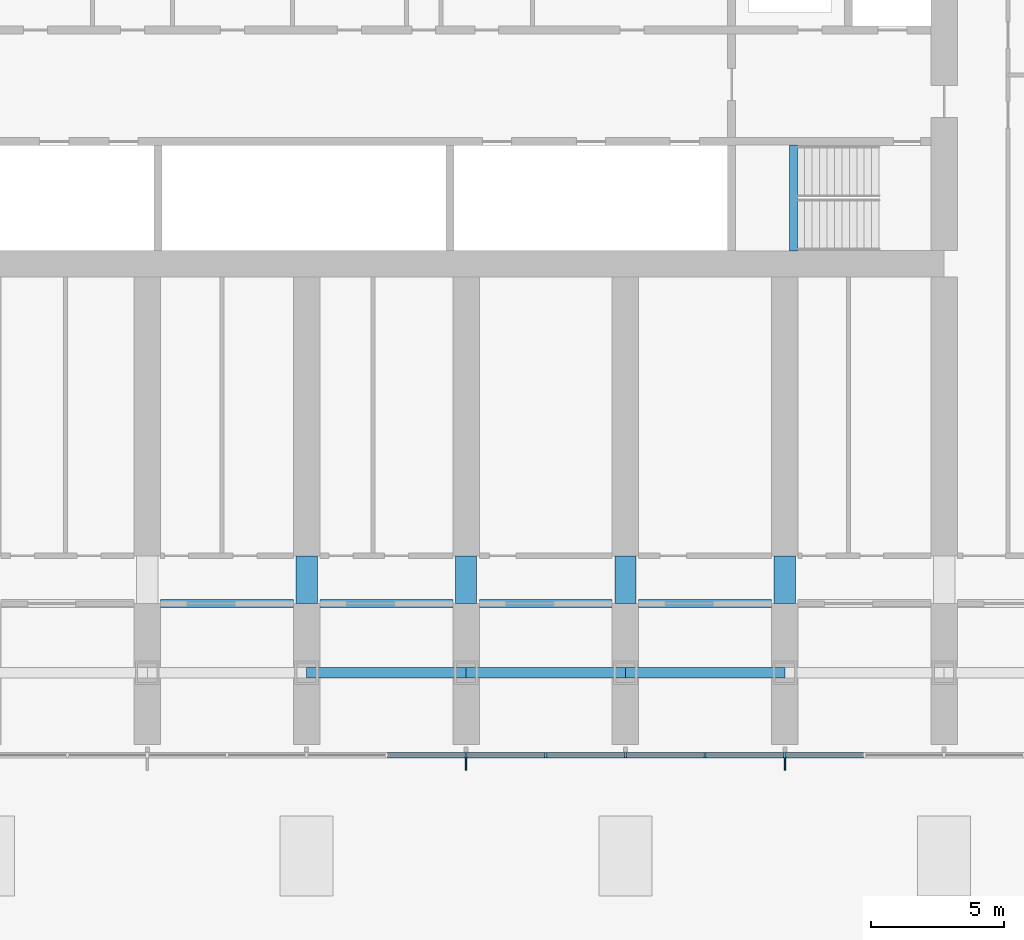
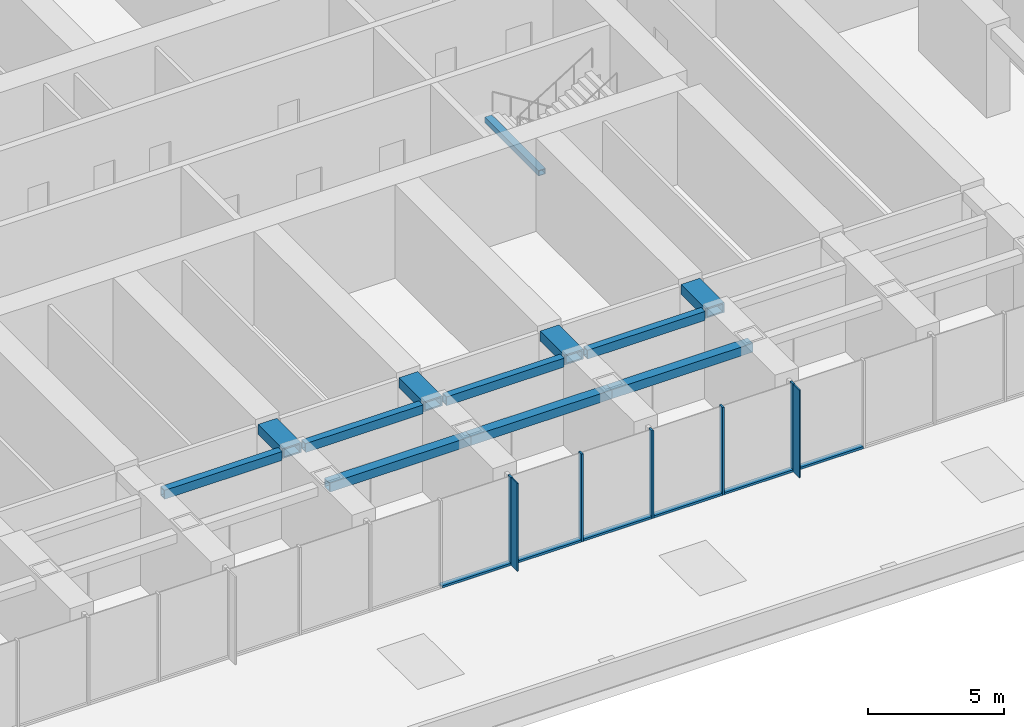
# One storey, part 3 of 23: 13 members, 12 beams, 1 element without a shape of its own.
"""IFC4 building model written with IfcOpenShell, lengths in metres."""

from ifc_helpers import new_model, si_unit, direction, frame, origin, origin_2d, place, context, subcontext, project, spatial, rectangle, hollow_rectangle, extrude, material, material_profile, profile_set, type_object, element, aggregate, save


model = new_model("IFC4")

# Units and contexts
model_context = context("Model", 3, precision=1e-05, world=origin(), true_north=direction((0.0, 1.0)))
body_context = subcontext(model_context, "Body", "Model", "MODEL_VIEW")
ifc_project = project(units=[si_unit("LENGTHUNIT", "METRE"), si_unit("AREAUNIT", "SQUARE_METRE"), si_unit("VOLUMEUNIT", "CUBIC_METRE"), si_unit("PLANEANGLEUNIT", "RADIAN"), si_unit("MASSUNIT", "GRAM", prefix="KILO")], contexts=[model_context])

# Site, building, storey
site_placement = place(None, origin())
site = spatial("IfcSite", under=ifc_project, at=site_placement, CompositionType="ELEMENT")
building_placement = place(site_placement, origin())
building = spatial("IfcBuilding", under=site, at=building_placement, Name="Orbita Commons", CompositionType="ELEMENT")
storey_placement = place(building_placement, frame((0.0, 0.0, 16.0)))
storey = spatial("IfcBuildingStorey", under=building, at=storey_placement, Name="L03", CompositionType="ELEMENT", Elevation=16.0)

# Curtain wall, members
ifc_material_1 = material(Name="Anodised aluminium frame, pale silver", Category="aluminium")
curtain_wall_type = type_object("IfcCurtainWallType", Name="Unitised curtain wall CW-S, full-height", PredefinedType="NOTDEFINED", material=ifc_material_1)
curtain_wall_placement = place(storey_placement, origin())
curtain_wall = element("IfcCurtainWall", 1, at=curtain_wall_placement, inside=storey, type_object=curtain_wall_type, Name="Curtain wall south L03", PredefinedType="NOTDEFINED")
ifc_material_2 = material(Name="Anodised aluminium, pale silver", Category="aluminium")
ifc_material_profile_1 = material_profile(ifc_material_2, rectangle(XDim=0.080078125, YDim=0.219970703125, at=origin_2d()), Name="AL 80x220")
ifc_profile_set_1 = profile_set([ifc_material_profile_1], Name="Anodised aluminium, pale silver")
member_type_1 = type_object("IfcMemberType", Name="Curtain wall mullion 80x220", PredefinedType="MULLION", material=ifc_profile_set_1)
member_1_placement = place(storey_placement, frame((48.0, 7.2900390625, 0.0), z_axis=(0.0, 0.0, 1.0), x_axis=(1.0, 0.0, 0.0)))
member_1 = element("IfcMember", 2, at=member_1_placement, type_object=member_type_1, Name="Mullion 13 CW-L03-S", PredefinedType="MULLION", context=body_context, shape_type="SweptSolid", body=[
    extrude(rectangle(XDim=0.080078125, YDim=0.219970703125, at=origin_2d()), origin(), (0.0, 0.0, 1.0), 3.949951171875),
])
member_2_placement = place(storey_placement, frame((51.0, 7.2900390625, 0.0), z_axis=(0.0, 0.0, 1.0), x_axis=(1.0, 0.0, 0.0)))
member_2 = element("IfcMember", 3, at=member_2_placement, type_object=member_type_1, Name="Mullion 14 CW-L03-S", PredefinedType="MULLION", context=body_context, shape_type="SweptSolid", body=[
    extrude(rectangle(XDim=0.080078125, YDim=0.219970703125, at=origin_2d()), origin(), (0.0, 0.0, 1.0), 3.949951171875),
])
member_3_placement = place(storey_placement, frame((54.0, 7.2900390625, 0.0), z_axis=(0.0, 0.0, 1.0), x_axis=(1.0, 0.0, 0.0)))
member_3 = element("IfcMember", 4, at=member_3_placement, type_object=member_type_1, Name="Mullion 15 CW-L03-S", PredefinedType="MULLION", context=body_context, shape_type="SweptSolid", body=[
    extrude(rectangle(XDim=0.080078125, YDim=0.219970703125, at=origin_2d()), origin(), (0.0, 0.0, 1.0), 3.949951171875),
])
member_4_placement = place(storey_placement, frame((57.0, 7.2900390625, 0.0), z_axis=(0.0, 0.0, 1.0), x_axis=(1.0, 0.0, 0.0)))
member_4 = element("IfcMember", 5, at=member_4_placement, type_object=member_type_1, Name="Mullion 16 CW-L03-S", PredefinedType="MULLION", context=body_context, shape_type="SweptSolid", body=[
    extrude(rectangle(XDim=0.080078125, YDim=0.219970703125, at=origin_2d()), origin(), (0.0, 0.0, 1.0), 3.949951171875),
])
member_5_placement = place(storey_placement, frame((60.0, 7.2900390625, 0.0), z_axis=(0.0, 0.0, 1.0), x_axis=(1.0, 0.0, 0.0)))
member_5 = element("IfcMember", 6, at=member_5_placement, type_object=member_type_1, Name="Mullion 17 CW-L03-S", PredefinedType="MULLION", context=body_context, shape_type="SweptSolid", body=[
    extrude(rectangle(XDim=0.080078125, YDim=0.219970703125, at=origin_2d()), origin(), (0.0, 0.0, 1.0), 3.949951171875),
])
ifc_material_3 = material(Name="Anodised aluminium, pale silver", Category="aluminium")
ifc_material_profile_2 = material_profile(ifc_material_3, rectangle(XDim=0.219970703125, YDim=0.10009765625, at=origin_2d()), Name="AL 220x100")
ifc_profile_set_2 = profile_set([ifc_material_profile_2], Name="Anodised aluminium, pale silver")
member_type_2 = type_object("IfcMemberType", Name="Curtain wall stack transom 220x100", PredefinedType="USERDEFINED", material=ifc_profile_set_2)
member_6_placement = place(storey_placement, frame((45.0400390625, 7.2900390625, 0.050048828125), z_axis=(1.0, 0.0, 0.0), x_axis=(0.0, 1.0, 0.0)))
member_6 = element("IfcMember", 7, at=member_6_placement, type_object=member_type_2, Name="Transom 12.1 CW-L03-S", ObjectType="TRANSOM", PredefinedType="USERDEFINED", context=body_context, shape_type="SweptSolid", body=[
    extrude(rectangle(XDim=0.219970703125, YDim=0.10009765625, at=origin_2d()), origin(), (0.0, 0.0, 1.0), 2.919921875),
])
member_7_placement = place(storey_placement, frame((48.0400390625, 7.2900390625, 0.050048828125), z_axis=(1.0, 0.0, 0.0), x_axis=(0.0, 1.0, 0.0)))
member_7 = element("IfcMember", 8, at=member_7_placement, type_object=member_type_2, Name="Transom 13.1 CW-L03-S", ObjectType="TRANSOM", PredefinedType="USERDEFINED", context=body_context, shape_type="SweptSolid", body=[
    extrude(rectangle(XDim=0.219970703125, YDim=0.10009765625, at=origin_2d()), origin(), (0.0, 0.0, 1.0), 2.919921875),
])
member_8_placement = place(storey_placement, frame((51.0400390625, 7.2900390625, 0.050048828125), z_axis=(1.0, 0.0, 0.0), x_axis=(0.0, 1.0, 0.0)))
member_8 = element("IfcMember", 9, at=member_8_placement, type_object=member_type_2, Name="Transom 14.1 CW-L03-S", ObjectType="TRANSOM", PredefinedType="USERDEFINED", context=body_context, shape_type="SweptSolid", body=[
    extrude(rectangle(XDim=0.219970703125, YDim=0.10009765625, at=origin_2d()), origin(), (0.0, 0.0, 1.0), 2.919921875),
])
member_9_placement = place(storey_placement, frame((54.0400390625, 7.2900390625, 0.050048828125), z_axis=(1.0, 0.0, 0.0), x_axis=(0.0, 1.0, 0.0)))
member_9 = element("IfcMember", 10, at=member_9_placement, type_object=member_type_2, Name="Transom 15.1 CW-L03-S", ObjectType="TRANSOM", PredefinedType="USERDEFINED", context=body_context, shape_type="SweptSolid", body=[
    extrude(rectangle(XDim=0.219970703125, YDim=0.10009765625, at=origin_2d()), origin(), (0.0, 0.0, 1.0), 2.919921875),
])
member_10_placement = place(storey_placement, frame((57.0400390625, 7.2900390625, 0.050048828125), z_axis=(1.0, 0.0, 0.0), x_axis=(0.0, 1.0, 0.0)))
member_10 = element("IfcMember", 11, at=member_10_placement, type_object=member_type_2, Name="Transom 16.1 CW-L03-S", ObjectType="TRANSOM", PredefinedType="USERDEFINED", context=body_context, shape_type="SweptSolid", body=[
    extrude(rectangle(XDim=0.219970703125, YDim=0.10009765625, at=origin_2d()), origin(), (0.0, 0.0, 1.0), 2.919921875),
])
member_11_placement = place(storey_placement, frame((60.0400390625, 7.2900390625, 0.050048828125), z_axis=(1.0, 0.0, 0.0), x_axis=(0.0, 1.0, 0.0)))
member_11 = element("IfcMember", 12, at=member_11_placement, type_object=member_type_2, Name="Transom 17.1 CW-L03-S", ObjectType="TRANSOM", PredefinedType="USERDEFINED", context=body_context, shape_type="SweptSolid", body=[
    extrude(rectangle(XDim=0.219970703125, YDim=0.10009765625, at=origin_2d()), origin(), (0.0, 0.0, 1.0), 2.919921875),
])

# Beams
ifc_material_4 = material(Name="Steel ASTM A572 Gr 50 welded plate", Category="steel")
ifc_material_profile_3 = material_profile(ifc_material_4, hollow_rectangle(XDim=0.300048828125, YDim=0.25, WallThickness=0.02490234375, at=origin_2d()), Name="BOX 250x300x25")
ifc_profile_set_3 = profile_set([ifc_material_profile_3], Name="Steel ASTM A572 Gr 50 welded plate")
beam_type_1 = type_object("IfcBeamType", Name="Stair landing beam steel BOX 250x300x25", PredefinedType="BEAM", material=ifc_profile_set_3)
beam_placement = place(storey_placement, frame((60.320068359375, 26.284912109375, 1.77490234375), z_axis=(0.0, 1.0, 0.0), x_axis=(-1.0, 0.0, 0.0)))
element("IfcBeam", 13, at=beam_placement, inside=storey, type_object=beam_type_1, Name="Stair S2 landing beam L03 1", PredefinedType="BEAM", context=body_context, shape_type="SweptSolid", body=[
    extrude(hollow_rectangle(XDim=0.300048828125, YDim=0.25, WallThickness=0.02490234375, at=origin_2d()), origin(), (0.0, 0.0, 1.0), 3.97998046875),
])
ifc_material_5 = material(Name="Steel ASTM A572 Gr 50 welded plate", Category="steel")
ifc_material_profile_4 = material_profile(ifc_material_5, hollow_rectangle(XDim=0.300048828125, YDim=0.39990234375, WallThickness=0.0400390625, at=origin_2d()), Name="BOX 400x300x40")
ifc_profile_set_4 = profile_set([ifc_material_profile_4], Name="Steel ASTM A572 Gr 50 welded plate")
beam_type_2 = type_object("IfcBeamType", Name="Steel corridor link BOX 400x300x40", PredefinedType="BEAM", material=ifc_profile_set_4)
for number, where, z_axis, x_axis, name in (
    (14, (36.5, 13.0, 3.75), (1.0, 0.0, 0.0), (0.0, 1.0, 0.0), "Corridor beam SA 7-8 L03"),
    (15, (42.5, 13.0, 3.75), (1.0, 0.0, 0.0), (0.0, 1.0, 0.0), "Corridor beam SA 8-9 L03"),
    (16, (48.5, 13.0, 3.75), (1.0, 0.0, 0.0), (0.0, 1.0, 0.0), "Corridor beam SA 9-10 L03"),
    (17, (54.5, 13.0, 3.75), (1.0, 0.0, 0.0), (0.0, 1.0, 0.0), "Corridor beam SA 10-11 L03"),
):
    element("IfcBeam", number, at=place(storey_placement, frame(where, z_axis=z_axis, x_axis=x_axis)), inside=storey, type_object=beam_type_2, Name=name, PredefinedType="BEAM", context=body_context, shape_type="SweptSolid", body=[
        extrude(hollow_rectangle(XDim=0.300048828125, YDim=0.39990234375, WallThickness=0.0400390625, at=origin_2d()), origin(), (0.0, 0.0, 1.0), 5.0),
    ])
ifc_material_6 = material(Name="Steel ASTM A572 Gr 50 welded plate", Category="steel")
ifc_material_profile_5 = material_profile(ifc_material_6, hollow_rectangle(XDim=0.800048828125, YDim=0.449951171875, WallThickness=0.06005859375, at=origin_2d()), Name="BOX 450x800x60")
ifc_profile_set_5 = profile_set([ifc_material_profile_5], Name="Steel ASTM A572 Gr 50 welded plate")
beam_type_3 = type_object("IfcBeamType", Name="Steel coupling link BOX 450x800x60", PredefinedType="LINTEL", material=ifc_profile_set_5)
for number, where, z_axis, x_axis, name in (
    (18, (42.0, 13.0, 3.72509765625), (0.0, 1.0, 0.0), (-1.0, 0.0, 0.0), "Coupling beam 8 south L03"),
    (19, (48.0, 13.0, 3.72509765625), (0.0, 1.0, 0.0), (-1.0, 0.0, 0.0), "Coupling beam 9 south L03"),
    (20, (54.0, 13.0, 3.72509765625), (0.0, 1.0, 0.0), (-1.0, 0.0, 0.0), "Coupling beam 10 south L03"),
    (21, (60.0, 13.0, 3.72509765625), (0.0, 1.0, 0.0), (-1.0, 0.0, 0.0), "Coupling beam 11 south L03"),
):
    element("IfcBeam", number, at=place(storey_placement, frame(where, z_axis=z_axis, x_axis=x_axis)), inside=storey, type_object=beam_type_3, Name=name, PredefinedType="LINTEL", context=body_context, shape_type="SweptSolid", body=[
        extrude(hollow_rectangle(XDim=0.800048828125, YDim=0.449951171875, WallThickness=0.06005859375, at=origin_2d()), origin(), (0.0, 0.0, 1.0), 1.800048828125),
    ])
ifc_material_7 = material(Name="Steel ASTM A572 Gr 50 welded plate", Category="steel")
ifc_material_profile_6 = material_profile(ifc_material_7, hollow_rectangle(XDim=0.39990234375, YDim=0.39990234375, WallThickness=0.0400390625, at=origin_2d()), Name="BOX 400x400x40")
ifc_profile_set_6 = profile_set([ifc_material_profile_6], Name="Steel ASTM A572 Gr 50 welded plate")
beam_type_4 = type_object("IfcBeamType", Name="Steel spandrel BOX 400x400x40", PredefinedType="SPANDREL", material=ifc_profile_set_6)
for number, where, z_axis, x_axis, name in (
    (22, (42.0, 10.39990234375, 3.75), (1.0, 0.0, 0.0), (0.0, 1.0, 0.0), "Spandrel beam B 8-9 L03"),
    (23, (48.0, 10.39990234375, 3.75), (1.0, 0.0, 0.0), (0.0, 1.0, 0.0), "Spandrel beam B 9-10 L03"),
    (24, (54.0, 10.39990234375, 3.75), (1.0, 0.0, 0.0), (0.0, 1.0, 0.0), "Spandrel beam B 10-11 L03"),
):
    element("IfcBeam", number, at=place(storey_placement, frame(where, z_axis=z_axis, x_axis=x_axis)), inside=storey, type_object=beam_type_4, Name=name, PredefinedType="SPANDREL", context=body_context, shape_type="SweptSolid", body=[
        extrude(hollow_rectangle(XDim=0.39990234375, YDim=0.39990234375, WallThickness=0.0400390625, at=origin_2d()), origin(), (0.0, 0.0, 1.0), 6.0),
    ])

# Member
ifc_material_8 = material(Name="Anodised aluminium, pale silver", Category="aluminium")
ifc_material_profile_7 = material_profile(ifc_material_8, rectangle(XDim=0.06005859375, YDim=0.449951171875, at=origin_2d()), Name="FIN 60x450")
ifc_profile_set_7 = profile_set([ifc_material_profile_7], Name="Anodised aluminium, pale silver")
member_type_3 = type_object("IfcMemberType", Name="Vertical fin 60x450 pale aluminium", PredefinedType="USERDEFINED", material=ifc_profile_set_7)
member_12_placement = place(storey_placement, frame((48.0, 6.955078125, 0.0), z_axis=(0.0, 0.0, 1.0), x_axis=(1.0, 0.0, 0.0)))
member_12 = element("IfcMember", 25, at=member_12_placement, type_object=member_type_3, Name="Fin 13 CW-L03-S", ObjectType="FIN", PredefinedType="USERDEFINED", context=body_context, shape_type="SweptSolid", body=[
    extrude(rectangle(XDim=0.06005859375, YDim=0.449951171875, at=origin_2d()), origin(), (0.0, 0.0, 1.0), 3.949951171875),
])

member_13_placement = place(storey_placement, frame((60.0, 6.955078125, 0.0), z_axis=(0.0, 0.0, 1.0), x_axis=(1.0, 0.0, 0.0)))
member_13 = element("IfcMember", 26, at=member_13_placement, type_object=member_type_3, Name="Fin 17 CW-L03-S", ObjectType="FIN", PredefinedType="USERDEFINED", context=body_context, shape_type="SweptSolid", body=[
    extrude(rectangle(XDim=0.06005859375, YDim=0.449951171875, at=origin_2d()), origin(), (0.0, 0.0, 1.0), 3.949951171875),
])

aggregate(curtain_wall, [member_1, member_12, member_2, member_3, member_4, member_5, member_13, member_6, member_7, member_8, member_9, member_10, member_11])

save(model, "model.ifc")
